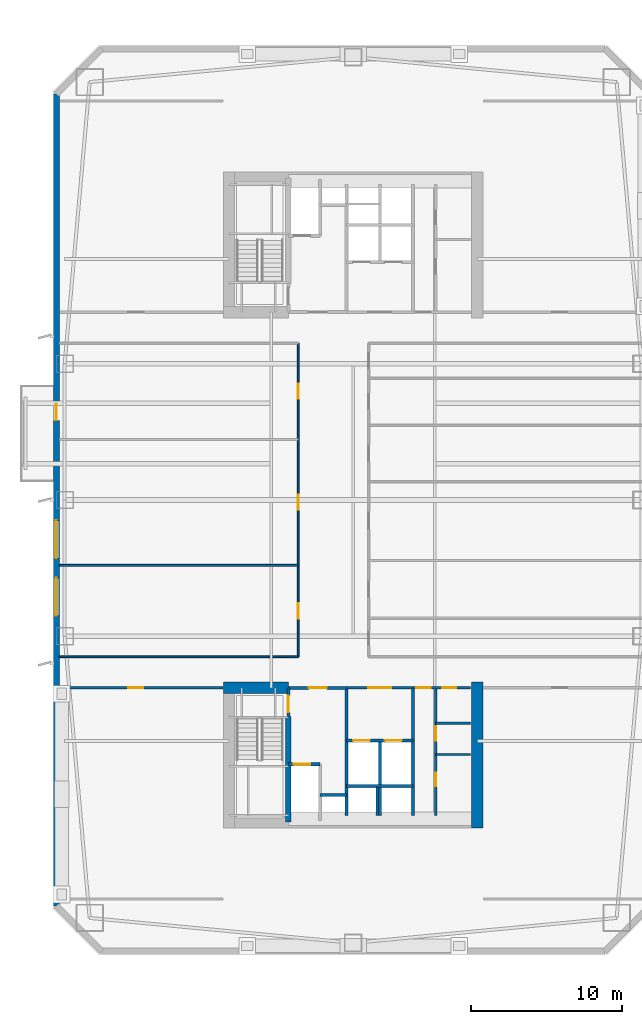
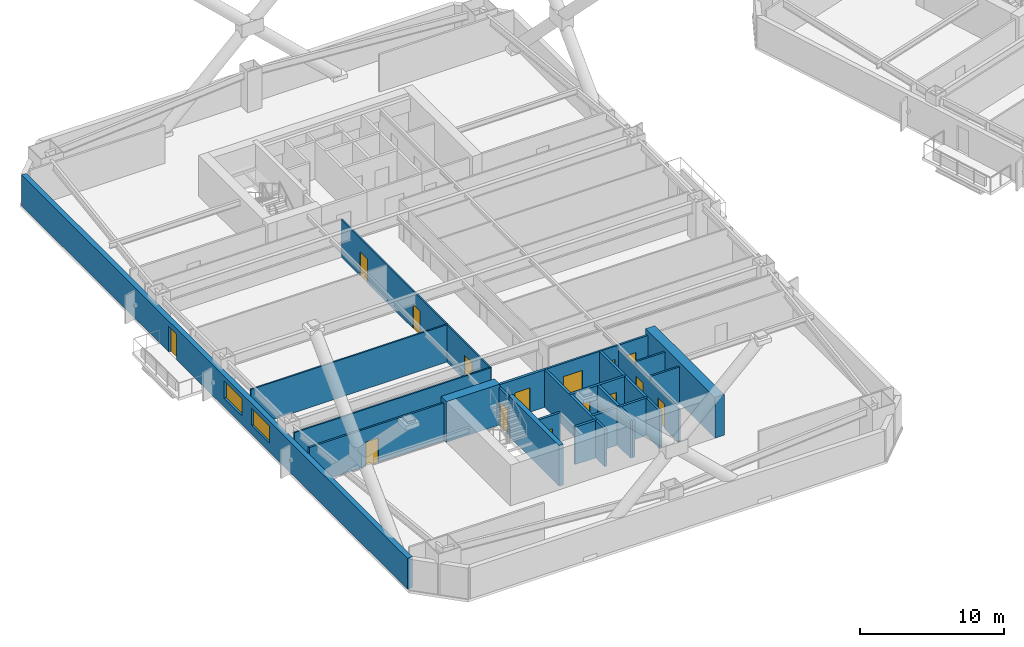
# One storey, part 4 of 18: 23 walls, 15 doors, 2 windows, 17 openings.
"""IFC4 building model written with IfcOpenShell, lengths in metres."""

from ifc_helpers import new_model, si_unit, direction, frame, frame_2d, origin, place, context, subcontext, project, spatial, rectangle, extrude, material, layer, layer_set, type_object, element, fill, save


model = new_model("IFC4")

# Units and contexts
model_context = context("Model", 3, precision=1e-05, world=origin(), true_north=direction((0.0, 1.0)))
body_context = subcontext(model_context, "Body", "Model", "MODEL_VIEW")
ifc_project = project(units=[si_unit("LENGTHUNIT", "METRE"), si_unit("AREAUNIT", "SQUARE_METRE"), si_unit("VOLUMEUNIT", "CUBIC_METRE"), si_unit("PLANEANGLEUNIT", "RADIAN"), si_unit("MASSUNIT", "GRAM", prefix="KILO")], contexts=[model_context])

# Site, building, storey
site_placement = place(None, origin())
site = spatial("IfcSite", under=ifc_project, at=site_placement, CompositionType="ELEMENT")
building_placement = place(site_placement, origin())
building = spatial("IfcBuilding", under=site, at=building_placement, Name="Qiaolan Cultural Towers", CompositionType="ELEMENT")
storey_placement = place(building_placement, frame((0.0, 0.0, 57.5)))
storey = spatial("IfcBuildingStorey", under=building, at=storey_placement, Name="L13", CompositionType="ELEMENT", Elevation=57.5)

# Walls
ifc_material_1 = material(Name="Concrete C50", Category="concrete")
ifc_layer_1 = layer(ifc_material_1, 0.35009765625)
ifc_layer_set_1 = layer_set([ifc_layer_1], Name="Concrete C50")
wall_type_1 = type_object("IfcWallType", Name="WL-CORE-350", PredefinedType="SHEAR", material=ifc_layer_set_1)
wall_1_placement = place(storey_placement, frame((25.719970703125, 19.699951171875, 0.0), z_axis=(0.0, 0.0, 1.0), x_axis=(0.0, -1.0, 0.0)))
element("IfcWall", 1, at=wall_1_placement, inside=storey, type_object=wall_type_1, Name="L13 T1-CS Stair Core Dividing Web", PredefinedType="SHEAR", context=body_context, shape_type="SweptSolid", body=[
    extrude(rectangle(XDim=6.97998046875, YDim=0.35009765625, at=frame_2d((3.489990234375, 0.0))), origin(), (0.0, 0.0, 1.0), 3.449951171875),
])
ifc_material_2 = material(Name="Concrete C60", Category="concrete")
ifc_layer_2 = layer(ifc_material_2, 0.75)
ifc_layer_set_2 = layer_set([ifc_layer_2], Name="Concrete C60")
wall_type_2 = type_object("IfcWallType", Name="WL-CORE-750", PredefinedType="SHEAR", material=ifc_layer_set_2)
wall_2_placement = place(storey_placement, frame((38.199951171875, 21.97509765625, 0.0), z_axis=(0.0, 0.0, 1.0), x_axis=(0.0, -1.0, 0.0)))
element("IfcWall", 2, at=wall_2_placement, inside=storey, type_object=wall_type_2, Name="L13 T1-CS East Core Shear Wall", PredefinedType="SHEAR", context=body_context, shape_type="SweptSolid", body=[
    extrude(rectangle(XDim=9.630126953125, YDim=0.75, at=frame_2d((4.81494140625, 0.0))), origin(), (0.0, 0.0, 1.0), 3.449951171875),
])
wall_3_placement = place(storey_placement, frame((21.425048828125, 21.60009765625, 0.0), z_axis=(0.0, 0.0, 1.0), x_axis=(1.0, 0.0, 0.0)))
element("IfcWall", 3, at=wall_3_placement, inside=storey, type_object=wall_type_2, Name="L13 T1-CS Stair Front Shear Wall", PredefinedType="SHEAR", context=body_context, shape_type="SweptSolid", body=[
    extrude(rectangle(XDim=4.294921875, YDim=0.75, at=frame_2d((2.1474609375, 0.0))), origin(), (0.0, 0.0, 1.0), 3.449951171875),
])

# Wall, openings, door, windows
ifc_material_3 = material(Name="Precast Concrete C50 Honed Stone Pier", Category="masonry")
ifc_layer_3 = layer(ifc_material_3, 0.39990234375)
ifc_layer_set_3 = layer_set([ifc_layer_3], Name="Precast Concrete C50 Honed Stone Pier")
wall_type_3 = type_object("IfcWallType", Name="WL-EXT-PIER-400", PredefinedType="SOLIDWALL", material=ifc_layer_set_3)
wall_4_placement = place(storey_placement, frame((10.39990234375, 7.199951171875, 0.0), z_axis=(0.0, 0.0, 1.0), x_axis=(0.0, 1.0, 0.0)))
wall_4 = element("IfcWall", 4, at=wall_4_placement, inside=storey, type_object=wall_type_3, Name="L13 West Tower Precast Pier Facade Wall F1", PredefinedType="SOLIDWALL", context=body_context, shape_type="SweptSolid", body=[
    extrude(rectangle(XDim=53.60009765625, YDim=0.39990234375, at=frame_2d((26.800048828125, 0.0))), origin(), (0.0, 0.0, 1.0), 2.610107421875),
])
opening_1_placement = place(wall_4_placement, frame((19.14990234375, 0.0, 0.75)))
opening_1 = element("IfcOpeningElement", 5, at=opening_1_placement, cuts=wall_4, Name="Opening W-01", PredefinedType="OPENING", context=body_context, shape_type="SweptSolid", body=[
    extrude(rectangle(XDim=2.5, YDim=1.4599609375, at=frame_2d((1.25, 0.72998046875))), frame((0.0, 0.2099609375, 0.0), z_axis=(0.0, -1.0, 0.0), x_axis=(1.0, 0.0, 0.0)), (0.0, 0.0, 1.0), 0.419921875),
])
opening_2_placement = place(wall_4_placement, frame((22.949951171875, 0.0, 0.75)))
opening_2 = element("IfcOpeningElement", 6, at=opening_2_placement, cuts=wall_4, Name="Opening W-01", PredefinedType="OPENING", context=body_context, shape_type="SweptSolid", body=[
    extrude(rectangle(XDim=2.5, YDim=1.4599609375, at=frame_2d((1.25, 0.72998046875))), frame((0.0, 0.2099609375, 0.0), z_axis=(0.0, -1.0, 0.0), x_axis=(1.0, 0.0, 0.0)), (0.0, 0.0, 1.0), 0.419921875),
])
opening_3_placement = place(wall_4_placement, frame((32.050048828125, 0.0, 0.0)))
opening_3 = element("IfcOpeningElement", 7, at=opening_3_placement, cuts=wall_4, Name="Opening BD-01", PredefinedType="OPENING", context=body_context, shape_type="SweptSolid", body=[
    extrude(rectangle(XDim=1.10009765625, YDim=2.14990234375, at=frame_2d((0.550048828125, 1.074951171875))), frame((0.0, 0.2099609375, 0.0), z_axis=(0.0, -1.0, 0.0), x_axis=(1.0, 0.0, 0.0)), (0.0, 0.0, 1.0), 0.419921875),
])
ifc_material_4 = material(Name="Thermally Broken Aluminium Glazed Terrace Door", Category="aluminium")
door_type_1 = type_object("IfcDoorType", Name="DR-BAL-1100", OperationType="NOTDEFINED", PredefinedType="DOOR", material=ifc_material_4)
door_1_placement = place(opening_3_placement, origin())
door_1 = element("IfcDoor", 8, at=door_1_placement, inside=storey, type_object=door_type_1, Name="L13 T1 West Tree Balcony Door", OperationType="SINGLE_SWING_LEFT", OverallHeight=2.14990234375, OverallWidth=1.10009765625, PredefinedType="DOOR", context=body_context, shape_type="SweptSolid", body=[
    extrude(rectangle(XDim=1.10009765625, YDim=2.14990234375, at=frame_2d((0.550048828125, 1.074951171875))), frame((0.0, 0.02490234375, 0.0), z_axis=(0.0, -1.0, 0.0), x_axis=(1.0, 0.0, 0.0)), (0.0, 0.0, 1.0), 0.050048828125),
])
fill(opening_3, door_1)
ifc_material_5 = material(Name="Thermally Broken Aluminium Triple Low-E Glazing", Category="aluminium")
window_type = type_object("IfcWindowType", Name="WN-CHIC-2500", PartitioningType="SINGLE_PANEL", PredefinedType="WINDOW", material=ifc_material_5)
window_1_placement = place(opening_1_placement, origin())
window_1 = element("IfcWindow", 9, at=window_1_placement, inside=storey, type_object=window_type, Name="L13 T1 W Chicago Bay Window 1", OverallHeight=1.4599609375, OverallWidth=2.5, PartitioningType="TRIPLE_PANEL_VERTICAL", PredefinedType="WINDOW", context=body_context, shape_type="SweptSolid", body=[
    extrude(rectangle(XDim=2.5, YDim=1.4599609375, at=frame_2d((1.25, 0.72998046875))), frame((0.0, 0.030029296875, 0.0), z_axis=(0.0, -1.0, 0.0), x_axis=(1.0, 0.0, 0.0)), (0.0, 0.0, 1.0), 0.06005859375),
])
fill(opening_1, window_1)
window_2_placement = place(opening_2_placement, origin())
window_2 = element("IfcWindow", 10, at=window_2_placement, inside=storey, type_object=window_type, Name="L13 T1 W Chicago Bay Window 2", OverallHeight=1.4599609375, OverallWidth=2.5, PartitioningType="TRIPLE_PANEL_VERTICAL", PredefinedType="WINDOW", context=body_context, shape_type="SweptSolid", body=[
    extrude(rectangle(XDim=2.5, YDim=1.4599609375, at=frame_2d((1.25, 0.72998046875))), frame((0.0, 0.030029296875, 0.0), z_axis=(0.0, -1.0, 0.0), x_axis=(1.0, 0.0, 0.0)), (0.0, 0.0, 1.0), 0.06005859375),
])
fill(opening_2, window_2)

# Wall, opening, door
ifc_material_6 = material(Name="Concrete C35 Fire Wall", Category="concrete")
ifc_layer_4 = layer(ifc_material_6, 0.199951171875)
ifc_layer_set_4 = layer_set([ifc_layer_4], Name="Concrete C35 Fire Wall")
wall_type_4 = type_object("IfcWallType", Name="WL-FIRE-200", PredefinedType="PARTITIONING", material=ifc_layer_set_4)
wall_5_placement = place(storey_placement, frame((25.719970703125, 21.60009765625, 0.0), z_axis=(0.0, 0.0, 1.0), x_axis=(0.0, -1.0, 0.0)))
wall_5 = element("IfcWall", 11, at=wall_5_placement, inside=storey, type_object=wall_type_4, Name="L13 T1-CS Smokeproof Stair Entry Wall", PredefinedType="PARTITIONING", context=body_context, shape_type="SweptSolid", body=[
    extrude(rectangle(XDim=1.900146484375, YDim=0.199951171875, at=frame_2d((0.9501953125, 0.0))), origin(), (0.0, 0.0, 1.0), 3.175048828125),
])
opening_4_placement = place(wall_5_placement, frame((0.52001953125, 0.0, 0.0)))
opening_4 = element("IfcOpeningElement", 12, at=opening_4_placement, cuts=wall_5, Name="Opening FD-04", PredefinedType="OPENING", context=body_context, shape_type="SweptSolid", body=[
    extrude(rectangle(XDim=1.10009765625, YDim=2.050048828125, at=frame_2d((0.550048828125, 1.02490234375))), frame((0.0, 0.10986328125, 0.0), z_axis=(0.0, -1.0, 0.0), x_axis=(1.0, 0.0, 0.0)), (0.0, 0.0, 1.0), 0.219970703125),
])
ifc_material_7 = material(Name="Galvanized Steel Command Fire Door", Category="steel")
door_type_2 = type_object("IfcDoorType", Name="DR-FD90-1100", OperationType="NOTDEFINED", PredefinedType="DOOR", material=ifc_material_7)
door_2_placement = place(opening_4_placement, origin())
door_2 = element("IfcDoor", 13, at=door_2_placement, inside=storey, type_object=door_type_2, Name="L13 ST-W1 Smokeproof Stair Fire Door", OperationType="SINGLE_SWING_LEFT", OverallHeight=2.050048828125, OverallWidth=1.10009765625, PredefinedType="DOOR", context=body_context, shape_type="SweptSolid", body=[
    extrude(rectangle(XDim=1.10009765625, YDim=2.050048828125, at=frame_2d((0.550048828125, 1.02490234375))), frame((0.0, 0.02490234375, 0.0), z_axis=(0.0, -1.0, 0.0), x_axis=(1.0, 0.0, 0.0)), (0.0, 0.0, 1.0), 0.050048828125),
])
fill(opening_4, door_2)

# Wall
wall_6_placement = place(storey_placement, frame((29.550048828125, 21.60009765625, 0.0), z_axis=(0.0, 0.0, 1.0), x_axis=(0.0, -1.0, 0.0)))
element("IfcWall", 14, at=wall_6_placement, inside=storey, type_object=wall_type_4, Name="L13 T1-CS Firefighting Zone Wall", PredefinedType="PARTITIONING", context=body_context, shape_type="SweptSolid", body=[
    extrude(rectangle(XDim=8.43017578125, YDim=0.199951171875, at=frame_2d((4.215087890625, 0.0))), origin(), (0.0, 0.0, 1.0), 3.175048828125),
])

# Wall, opening, door
wall_7_placement = place(storey_placement, frame((25.719970703125, 21.60009765625, 0.0), z_axis=(0.0, 0.0, 1.0), x_axis=(1.0, 0.0, 0.0)))
wall_7 = element("IfcWall", 15, at=wall_7_placement, inside=storey, type_object=wall_type_4, Name="L13 T1-CS Firefighting Lobby Front Wall", PredefinedType="PARTITIONING", context=body_context, shape_type="SweptSolid", body=[
    extrude(rectangle(XDim=3.830078125, YDim=0.199951171875, at=frame_2d((1.9150390625, 0.0))), origin(), (0.0, 0.0, 1.0), 3.175048828125),
])
opening_5_placement = place(wall_7_placement, frame((1.35009765625, 0.0, 0.0)))
opening_5 = element("IfcOpeningElement", 16, at=opening_5_placement, cuts=wall_7, Name="Opening FD-03", PredefinedType="OPENING", context=body_context, shape_type="SweptSolid", body=[
    extrude(rectangle(XDim=1.199951171875, YDim=2.050048828125, at=frame_2d((0.60009765625, 1.02490234375))), frame((0.0, 0.10986328125, 0.0), z_axis=(0.0, -1.0, 0.0), x_axis=(1.0, 0.0, 0.0)), (0.0, 0.0, 1.0), 0.219970703125),
])
ifc_material_8 = material(Name="Galvanized Steel Smokeproof Lobby Fire Door", Category="steel")
door_type_3 = type_object("IfcDoorType", Name="DR-FD90-1200", OperationType="NOTDEFINED", PredefinedType="DOOR", material=ifc_material_8)
door_3_placement = place(opening_5_placement, origin())
door_3 = element("IfcDoor", 17, at=door_3_placement, inside=storey, type_object=door_type_3, Name="L13 FFL-W1 Firefighting Lobby Fire Door", OperationType="SINGLE_SWING_LEFT", OverallHeight=2.050048828125, OverallWidth=1.199951171875, PredefinedType="DOOR", context=body_context, shape_type="SweptSolid", body=[
    extrude(rectangle(XDim=1.199951171875, YDim=2.050048828125, at=frame_2d((0.60009765625, 1.02490234375))), frame((0.0, 0.02490234375, 0.0), z_axis=(0.0, -1.0, 0.0), x_axis=(1.0, 0.0, 0.0)), (0.0, 0.0, 1.0), 0.050048828125),
])
fill(opening_5, door_3)

wall_8_placement = place(storey_placement, frame((25.719970703125, 16.550048828125, 0.0), z_axis=(0.0, 0.0, 1.0), x_axis=(1.0, 0.0, 0.0)))
wall_8 = element("IfcWall", 18, at=wall_8_placement, inside=storey, type_object=wall_type_4, Name="L13 T1-CS Firefighting Shaft Front Wall", PredefinedType="PARTITIONING", context=body_context, shape_type="SweptSolid", body=[
    extrude(rectangle(XDim=2.10009765625, YDim=0.199951171875, at=frame_2d((1.050048828125, 0.0))), origin(), (0.0, 0.0, 1.0), 3.175048828125),
])
opening_6_placement = place(wall_8_placement, frame((0.35009765625, 0.0, 0.0)))
opening_6 = element("IfcOpeningElement", 19, at=opening_6_placement, cuts=wall_8, Name="Opening LD-01", PredefinedType="OPENING", context=body_context, shape_type="SweptSolid", body=[
    extrude(rectangle(XDim=1.10009765625, YDim=2.050048828125, at=frame_2d((0.550048828125, 1.02490234375))), frame((0.0, 0.10986328125, 0.0), z_axis=(0.0, -1.0, 0.0), x_axis=(1.0, 0.0, 0.0)), (0.0, 0.0, 1.0), 0.219970703125),
])
ifc_material_9 = material(Name="Brushed Stainless Steel S30408 Centre-Parting Lift Landing Door", Category="steel")
door_type_4 = type_object("IfcDoorType", Name="DR-LIFT-1100", OperationType="NOTDEFINED", PredefinedType="DOOR", material=ifc_material_9)
door_4_placement = place(opening_6_placement, origin())
door_4 = element("IfcDoor", 20, at=door_4_placement, inside=storey, type_object=door_type_4, Name="L13 FFL-W1 Firefighting Lift Landing Door", OperationType="DOUBLE_DOOR_SLIDING", OverallHeight=2.050048828125, OverallWidth=1.10009765625, PredefinedType="DOOR", context=body_context, shape_type="SweptSolid", body=[
    extrude(rectangle(XDim=1.10009765625, YDim=2.050048828125, at=frame_2d((0.550048828125, 1.02490234375))), frame((0.0, 0.02490234375, 0.0), z_axis=(0.0, -1.0, 0.0), x_axis=(1.0, 0.0, 0.0)), (0.0, 0.0, 1.0), 0.050048828125),
])
fill(opening_6, door_4)

# Walls
wall_9_placement = place(storey_placement, frame((27.820068359375, 14.52001953125, 0.0), z_axis=(0.0, 0.0, 1.0), x_axis=(1.0, 0.0, 0.0)))
element("IfcWall", 21, at=wall_9_placement, inside=storey, type_object=wall_type_4, Name="L13 T1-CS Pressurization Shaft Front Wall", PredefinedType="PARTITIONING", context=body_context, shape_type="SweptSolid", body=[
    extrude(rectangle(XDim=1.72998046875, YDim=0.199951171875, at=frame_2d((0.864990234375, 0.0))), origin(), (0.0, 0.0, 1.0), 3.175048828125),
])
wall_10_placement = place(storey_placement, frame((33.949951171875, 21.60009765625, 0.0), z_axis=(0.0, 0.0, 1.0), x_axis=(0.0, -1.0, 0.0)))
element("IfcWall", 22, at=wall_10_placement, inside=storey, type_object=wall_type_4, Name="L13 T1-CS Lift Core East Wall", PredefinedType="PARTITIONING", context=body_context, shape_type="SweptSolid", body=[
    extrude(rectangle(XDim=8.43017578125, YDim=0.199951171875, at=frame_2d((4.215087890625, 0.0))), origin(), (0.0, 0.0, 1.0), 3.175048828125),
])

# Wall, openings, doors
wall_11_placement = place(storey_placement, frame((29.550048828125, 18.1201171875, 0.0), z_axis=(0.0, 0.0, 1.0), x_axis=(1.0, 0.0, 0.0)))
wall_11 = element("IfcWall", 23, at=wall_11_placement, inside=storey, type_object=wall_type_4, Name="L13 T1-CS Passenger Lift Shaft Front Wall", PredefinedType="PARTITIONING", context=body_context, shape_type="SweptSolid", body=[
    extrude(rectangle(XDim=4.39990234375, YDim=0.199951171875, at=frame_2d((2.199951171875, 0.0))), origin(), (0.0, 0.0, 1.0), 3.175048828125),
])
opening_7_placement = place(wall_11_placement, frame((0.449951171875, 0.0, 0.0)))
opening_7 = element("IfcOpeningElement", 24, at=opening_7_placement, cuts=wall_11, Name="Opening LD-01", PredefinedType="OPENING", context=body_context, shape_type="SweptSolid", body=[
    extrude(rectangle(XDim=1.10009765625, YDim=2.050048828125, at=frame_2d((0.550048828125, 1.02490234375))), frame((0.0, 0.10986328125, 0.0), z_axis=(0.0, -1.0, 0.0), x_axis=(1.0, 0.0, 0.0)), (0.0, 0.0, 1.0), 0.219970703125),
])
opening_8_placement = place(wall_11_placement, frame((2.550048828125, 0.0, 0.0)))
opening_8 = element("IfcOpeningElement", 25, at=opening_8_placement, cuts=wall_11, Name="Opening LD-01", PredefinedType="OPENING", context=body_context, shape_type="SweptSolid", body=[
    extrude(rectangle(XDim=1.10009765625, YDim=2.050048828125, at=frame_2d((0.550048828125, 1.02490234375))), frame((0.0, 0.10986328125, 0.0), z_axis=(0.0, -1.0, 0.0), x_axis=(1.0, 0.0, 0.0)), (0.0, 0.0, 1.0), 0.219970703125),
])
door_5_placement = place(opening_7_placement, origin())
door_5 = element("IfcDoor", 26, at=door_5_placement, inside=storey, type_object=door_type_4, Name="L13 Passenger Lift 1 Landing Door", OperationType="DOUBLE_DOOR_SLIDING", OverallHeight=2.050048828125, OverallWidth=1.10009765625, PredefinedType="DOOR", context=body_context, shape_type="SweptSolid", body=[
    extrude(rectangle(XDim=1.10009765625, YDim=2.050048828125, at=frame_2d((0.550048828125, 1.02490234375))), frame((0.0, 0.02490234375, 0.0), z_axis=(0.0, -1.0, 0.0), x_axis=(1.0, 0.0, 0.0)), (0.0, 0.0, 1.0), 0.050048828125),
])
fill(opening_7, door_5)
door_6_placement = place(opening_8_placement, origin())
door_6 = element("IfcDoor", 27, at=door_6_placement, inside=storey, type_object=door_type_4, Name="L13 Passenger Lift 2 Landing Door", OperationType="DOUBLE_DOOR_SLIDING", OverallHeight=2.050048828125, OverallWidth=1.10009765625, PredefinedType="DOOR", context=body_context, shape_type="SweptSolid", body=[
    extrude(rectangle(XDim=1.10009765625, YDim=2.050048828125, at=frame_2d((0.550048828125, 1.02490234375))), frame((0.0, 0.02490234375, 0.0), z_axis=(0.0, -1.0, 0.0), x_axis=(1.0, 0.0, 0.0)), (0.0, 0.0, 1.0), 0.050048828125),
])
fill(opening_8, door_6)

# Walls
wall_12_placement = place(storey_placement, frame((31.780029296875, 18.1201171875, 0.0), z_axis=(0.0, 0.0, 1.0), x_axis=(0.0, -1.0, 0.0)))
element("IfcWall", 28, at=wall_12_placement, inside=storey, type_object=wall_type_4, Name="L13 T1-CS Lift Shaft Divider Wall", PredefinedType="PARTITIONING", context=body_context, shape_type="SweptSolid", body=[
    extrude(rectangle(XDim=4.9501953125, YDim=0.199951171875, at=frame_2d((2.47509765625, 0.0))), origin(), (0.0, 0.0, 1.0), 3.175048828125),
])
wall_13_placement = place(storey_placement, frame((29.550048828125, 15.10009765625, 0.0), z_axis=(0.0, 0.0, 1.0), x_axis=(1.0, 0.0, 0.0)))
element("IfcWall", 29, at=wall_13_placement, inside=storey, type_object=wall_type_4, Name="L13 T1-CS Passenger Lift Shaft Back Wall", PredefinedType="PARTITIONING", context=body_context, shape_type="SweptSolid", body=[
    extrude(rectangle(XDim=4.39990234375, YDim=0.199951171875, at=frame_2d((2.199951171875, 0.0))), origin(), (0.0, 0.0, 1.0), 3.175048828125),
])
ifc_material_10 = material(Name="Gypsum Stud Acoustic Partition", Category="gypsum")
ifc_layer_5 = layer(ifc_material_10, 0.1201171875)
ifc_layer_set_5 = layer_set([ifc_layer_5], Name="Gypsum Stud Acoustic Partition")
wall_type_5 = type_object("IfcWallType", Name="WL-PART-120", PredefinedType="PARTITIONING", material=ifc_layer_set_5)
wall_14_placement = place(storey_placement, frame((10.60009765625, 23.64990234375, 0.0), z_axis=(0.0, 0.0, 1.0), x_axis=(1.0, 0.0, 0.0)))
element("IfcWall", 30, at=wall_14_placement, inside=storey, type_object=wall_type_5, Name="L13 T1 South Corridor Left Wall", PredefinedType="PARTITIONING", context=body_context, shape_type="SweptSolid", body=[
    extrude(rectangle(XDim=15.77490234375, YDim=0.1201171875, at=frame_2d((7.887451171875, 0.0))), origin(), (0.0, 0.0, 1.0), 3.175048828125),
])

# Wall, openings, doors
wall_15_placement = place(storey_placement, frame((26.375, 23.64990234375, 0.0), z_axis=(0.0, 0.0, 1.0), x_axis=(0.0, 1.0, 0.0)))
wall_15 = element("IfcWall", 31, at=wall_15_placement, inside=storey, type_object=wall_type_5, Name="L13 T1 West Spine Wall", PredefinedType="PARTITIONING", context=body_context, shape_type="SweptSolid", body=[
    extrude(rectangle(XDim=20.7001953125, YDim=0.1201171875, at=frame_2d((10.35009765625, 0.0))), origin(), (0.0, 0.0, 1.0), 3.175048828125),
])
opening_9_placement = place(wall_15_placement, frame((2.517578125, 0.0, 0.0)))
opening_9 = element("IfcOpeningElement", 32, at=opening_9_placement, cuts=wall_15, Name="Opening ID-04", PredefinedType="OPENING", context=body_context, shape_type="SweptSolid", body=[
    extrude(rectangle(XDim=1.0, YDim=2.050048828125, at=frame_2d((0.5, 1.02490234375))), frame((0.0, 0.070068359375, 0.0), z_axis=(0.0, -1.0, 0.0), x_axis=(1.0, 0.0, 0.0)), (0.0, 0.0, 1.0), 0.14013671875),
])
opening_10_placement = place(wall_15_placement, frame((9.6923828125, 0.0, 0.0)))
opening_10 = element("IfcOpeningElement", 33, at=opening_10_placement, cuts=wall_15, Name="Opening ID-04", PredefinedType="OPENING", context=body_context, shape_type="SweptSolid", body=[
    extrude(rectangle(XDim=1.0, YDim=2.050048828125, at=frame_2d((0.5, 1.02490234375))), frame((0.0, 0.070068359375, 0.0), z_axis=(0.0, -1.0, 0.0), x_axis=(1.0, 0.0, 0.0)), (0.0, 0.0, 1.0), 0.14013671875),
])
opening_11_placement = place(wall_15_placement, frame((17.02490234375, 0.0, 0.0)))
opening_11 = element("IfcOpeningElement", 34, at=opening_11_placement, cuts=wall_15, Name="Opening ID-04", PredefinedType="OPENING", context=body_context, shape_type="SweptSolid", body=[
    extrude(rectangle(XDim=1.0, YDim=2.050048828125, at=frame_2d((0.5, 1.02490234375))), frame((0.0, 0.070068359375, 0.0), z_axis=(0.0, -1.0, 0.0), x_axis=(1.0, 0.0, 0.0)), (0.0, 0.0, 1.0), 0.14013671875),
])
ifc_material_11 = material(Name="Oak Veneer Acoustic Office Door", Category="timber")
door_type_5 = type_object("IfcDoorType", Name="DR-INT-1000", OperationType="NOTDEFINED", PredefinedType="DOOR", material=ifc_material_11)
door_7_placement = place(opening_9_placement, origin())
door_7 = element("IfcDoor", 35, at=door_7_placement, inside=storey, type_object=door_type_5, Name="L13 T1 Contemporary Art Salon Door", OperationType="SINGLE_SWING_LEFT", OverallHeight=2.050048828125, OverallWidth=1.0, PredefinedType="DOOR", context=body_context, shape_type="SweptSolid", body=[
    extrude(rectangle(XDim=1.0, YDim=2.050048828125, at=frame_2d((0.5, 1.02490234375))), frame((0.0, 0.02490234375, 0.0), z_axis=(0.0, -1.0, 0.0), x_axis=(1.0, 0.0, 0.0)), (0.0, 0.0, 1.0), 0.050048828125),
])
fill(opening_9, door_7)
door_8_placement = place(opening_10_placement, origin())
door_8 = element("IfcDoor", 36, at=door_8_placement, inside=storey, type_object=door_type_5, Name="L13 T1 Contemporary Art Salon Door", OperationType="SINGLE_SWING_RIGHT", OverallHeight=2.050048828125, OverallWidth=1.0, PredefinedType="DOOR", context=body_context, shape_type="SweptSolid", body=[
    extrude(rectangle(XDim=1.0, YDim=2.050048828125, at=frame_2d((0.5, 1.02490234375))), frame((0.0, 0.02490234375, 0.0), z_axis=(0.0, -1.0, 0.0), x_axis=(1.0, 0.0, 0.0)), (0.0, 0.0, 1.0), 0.050048828125),
])
fill(opening_10, door_8)
door_9_placement = place(opening_11_placement, origin())
door_9 = element("IfcDoor", 37, at=door_9_placement, inside=storey, type_object=door_type_5, Name="L13 T1 Members Reading Club Door", OperationType="SINGLE_SWING_LEFT", OverallHeight=2.050048828125, OverallWidth=1.0, PredefinedType="DOOR", context=body_context, shape_type="SweptSolid", body=[
    extrude(rectangle(XDim=1.0, YDim=2.050048828125, at=frame_2d((0.5, 1.02490234375))), frame((0.0, 0.02490234375, 0.0), z_axis=(0.0, -1.0, 0.0), x_axis=(1.0, 0.0, 0.0)), (0.0, 0.0, 1.0), 0.050048828125),
])
fill(opening_11, door_9)

# Wall
wall_16_placement = place(storey_placement, frame((10.60009765625, 29.68505859375, 0.0), z_axis=(0.0, 0.0, 1.0), x_axis=(1.0, 0.0, 0.0)))
element("IfcWall", 38, at=wall_16_placement, inside=storey, type_object=wall_type_5, Name="L13 T1 West Partition 1", PredefinedType="PARTITIONING", context=body_context, shape_type="SweptSolid", body=[
    extrude(rectangle(XDim=15.77490234375, YDim=0.1201171875, at=frame_2d((7.887451171875, 0.0))), origin(), (0.0, 0.0, 1.0), 3.175048828125),
])

# Wall, opening, door
ifc_material_12 = material(Name="Autoclaved Aerated Concrete Block B06", Category="concrete")
ifc_layer_6 = layer(ifc_material_12, 0.14990234375)
ifc_layer_set_6 = layer_set([ifc_layer_6], Name="Autoclaved Aerated Concrete Block B06")
wall_type_6 = type_object("IfcWallType", Name="WL-PART-150", PredefinedType="PARTITIONING", material=ifc_layer_set_6)
wall_17_placement = place(storey_placement, frame((29.550048828125, 21.60009765625, 0.0), z_axis=(0.0, 0.0, 1.0), x_axis=(1.0, 0.0, 0.0)))
wall_17 = element("IfcWall", 39, at=wall_17_placement, inside=storey, type_object=wall_type_6, Name="L13 T1-CS Passenger Lift Lobby Front Wall", PredefinedType="PARTITIONING", context=body_context, shape_type="SweptSolid", body=[
    extrude(rectangle(XDim=4.39990234375, YDim=0.14990234375, at=frame_2d((2.199951171875, 0.0))), origin(), (0.0, 0.0, 1.0), 3.175048828125),
])
opening_12_placement = place(wall_17_placement, frame((1.449951171875, 0.0, 0.0)))
opening_12 = element("IfcOpeningElement", 40, at=opening_12_placement, cuts=wall_17, Name="Opening FD-05", PredefinedType="OPENING", context=body_context, shape_type="SweptSolid", body=[
    extrude(rectangle(XDim=1.5, YDim=2.050048828125, at=frame_2d((0.75, 1.02490234375))), frame((0.0, 0.0849609375, 0.0), z_axis=(0.0, -1.0, 0.0), x_axis=(1.0, 0.0, 0.0)), (0.0, 0.0, 1.0), 0.169921875),
])
ifc_material_13 = material(Name="Painted Steel Lift Lobby Fire Door", Category="steel")
door_type_6 = type_object("IfcDoorType", Name="DR-FD60-1500", OperationType="NOTDEFINED", PredefinedType="DOOR", material=ifc_material_13)
door_10_placement = place(opening_12_placement, origin())
door_10 = element("IfcDoor", 41, at=door_10_placement, inside=storey, type_object=door_type_6, Name="L13 Passenger Lift Lobby Entrance", OperationType="SINGLE_SWING_LEFT", OverallHeight=2.050048828125, OverallWidth=1.5, PredefinedType="DOOR", context=body_context, shape_type="SweptSolid", body=[
    extrude(rectangle(XDim=1.5, YDim=2.050048828125, at=frame_2d((0.75, 1.02490234375))), frame((0.0, 0.02490234375, 0.0), z_axis=(0.0, -1.0, 0.0), x_axis=(1.0, 0.0, 0.0)), (0.0, 0.0, 1.0), 0.050048828125),
])
fill(opening_12, door_10)

# Wall
wall_18_placement = place(storey_placement, frame((31.60009765625, 15.050048828125, 0.0), z_axis=(0.0, 0.0, 1.0), x_axis=(0.0, -1.0, 0.0)))
element("IfcWall", 42, at=wall_18_placement, inside=storey, type_object=wall_type_6, Name="L13 T1-CS Core Rear Split Wall", PredefinedType="PARTITIONING", context=body_context, shape_type="SweptSolid", body=[
    extrude(rectangle(XDim=1.880126953125, YDim=0.14990234375, at=frame_2d((0.93994140625, 0.0))), origin(), (0.0, 0.0, 1.0), 3.175048828125),
])

# Wall, openings, doors
wall_19_placement = place(storey_placement, frame((33.949951171875, 21.60009765625, 0.0), z_axis=(0.0, 0.0, 1.0), x_axis=(1.0, 0.0, 0.0)))
wall_19 = element("IfcWall", 43, at=wall_19_placement, inside=storey, type_object=wall_type_6, Name="L13 T1-CS Sanitary Core Front Wall", PredefinedType="PARTITIONING", context=body_context, shape_type="SweptSolid", body=[
    extrude(rectangle(XDim=3.800048828125, YDim=0.14990234375, at=frame_2d((1.89990234375, 0.0))), origin(), (0.0, 0.0, 1.0), 3.175048828125),
])
opening_13_placement = place(wall_19_placement, frame((0.219970703125, 0.0, 0.0)))
opening_13 = element("IfcOpeningElement", 44, at=opening_13_placement, cuts=wall_19, Name="Opening ID-05", PredefinedType="OPENING", context=body_context, shape_type="SweptSolid", body=[
    extrude(rectangle(XDim=0.949951171875, YDim=2.050048828125, at=frame_2d((0.47509765625, 1.02490234375))), frame((0.0, 0.0849609375, 0.0), z_axis=(0.0, -1.0, 0.0), x_axis=(1.0, 0.0, 0.0)), (0.0, 0.0, 1.0), 0.169921875),
])
opening_14_placement = place(wall_19_placement, frame((1.949951171875, 0.0, 0.0)))
opening_14 = element("IfcOpeningElement", 45, at=opening_14_placement, cuts=wall_19, Name="Opening ID-06", PredefinedType="OPENING", context=body_context, shape_type="SweptSolid", body=[
    extrude(rectangle(XDim=0.89990234375, YDim=2.050048828125, at=frame_2d((0.449951171875, 1.02490234375))), frame((0.0, 0.0849609375, 0.0), z_axis=(0.0, -1.0, 0.0), x_axis=(1.0, 0.0, 0.0)), (0.0, 0.0, 1.0), 0.169921875),
])
ifc_material_14 = material(Name="Fire-Rated Laminate Core Service Door", Category="timber")
door_type_7 = type_object("IfcDoorType", Name="DR-INT-900", OperationType="NOTDEFINED", PredefinedType="DOOR", material=ifc_material_14)
door_11_placement = place(opening_14_placement, origin())
door_11 = element("IfcDoor", 46, at=door_11_placement, inside=storey, type_object=door_type_7, Name="L13 Core Tea Pantry Door", OperationType="SINGLE_SWING_RIGHT", OverallHeight=2.050048828125, OverallWidth=0.89990234375, PredefinedType="DOOR", context=body_context, shape_type="SweptSolid", body=[
    extrude(rectangle(XDim=0.89990234375, YDim=2.050048828125, at=frame_2d((0.449951171875, 1.02490234375))), frame((0.0, 0.02490234375, 0.0), z_axis=(0.0, -1.0, 0.0), x_axis=(1.0, 0.0, 0.0)), (0.0, 0.0, 1.0), 0.050048828125),
])
fill(opening_14, door_11)
ifc_material_15 = material(Name="Fire-Rated Laminate Accessible Core Door", Category="timber")
door_type_8 = type_object("IfcDoorType", Name="DR-INT-950", OperationType="NOTDEFINED", PredefinedType="DOOR", material=ifc_material_15)
door_12_placement = place(opening_13_placement, origin())
door_12 = element("IfcDoor", 47, at=door_12_placement, inside=storey, type_object=door_type_8, Name="L13 Sanitary Passage Door", OperationType="SINGLE_SWING_LEFT", OverallHeight=2.050048828125, OverallWidth=0.949951171875, PredefinedType="DOOR", context=body_context, shape_type="SweptSolid", body=[
    extrude(rectangle(XDim=0.949951171875, YDim=2.050048828125, at=frame_2d((0.47509765625, 1.02490234375))), frame((0.0, 0.02490234375, 0.0), z_axis=(0.0, -1.0, 0.0), x_axis=(1.0, 0.0, 0.0)), (0.0, 0.0, 1.0), 0.050048828125),
])
fill(opening_13, door_12)

wall_20_placement = place(storey_placement, frame((35.449951171875, 21.60009765625, 0.0), z_axis=(0.0, 0.0, 1.0), x_axis=(0.0, -1.0, 0.0)))
wall_20 = element("IfcWall", 48, at=wall_20_placement, inside=storey, type_object=wall_type_6, Name="L13 T1-CS Sanitary Corridor Wall", PredefinedType="PARTITIONING", context=body_context, shape_type="SweptSolid", body=[
    extrude(rectangle(XDim=8.43017578125, YDim=0.14990234375, at=frame_2d((4.215087890625, 0.0))), origin(), (0.0, 0.0, 1.0), 2.81494140625),
])
opening_15_placement = place(wall_20_placement, frame((2.550048828125, 0.0, 0.0)))
opening_15 = element("IfcOpeningElement", 49, at=opening_15_placement, cuts=wall_20, Name="Opening ID-05", PredefinedType="OPENING", context=body_context, shape_type="SweptSolid", body=[
    extrude(rectangle(XDim=0.949951171875, YDim=2.050048828125, at=frame_2d((0.47509765625, 1.02490234375))), frame((0.0, 0.0849609375, 0.0), z_axis=(0.0, -1.0, 0.0), x_axis=(1.0, 0.0, 0.0)), (0.0, 0.0, 1.0), 0.169921875),
])
opening_16_placement = place(wall_20_placement, frame((5.60009765625, 0.0, 0.0)))
opening_16 = element("IfcOpeningElement", 50, at=opening_16_placement, cuts=wall_20, Name="Opening ID-06", PredefinedType="OPENING", context=body_context, shape_type="SweptSolid", body=[
    extrude(rectangle(XDim=0.89990234375, YDim=2.050048828125, at=frame_2d((0.449951171875, 1.02490234375))), frame((0.0, 0.0849609375, 0.0), z_axis=(0.0, -1.0, 0.0), x_axis=(1.0, 0.0, 0.0)), (0.0, 0.0, 1.0), 0.169921875),
])
door_13_placement = place(opening_16_placement, origin())
door_13 = element("IfcDoor", 51, at=door_13_placement, inside=storey, type_object=door_type_7, Name="L13 Staff Restroom Door", OperationType="SINGLE_SWING_RIGHT", OverallHeight=2.050048828125, OverallWidth=0.89990234375, PredefinedType="DOOR", context=body_context, shape_type="SweptSolid", body=[
    extrude(rectangle(XDim=0.89990234375, YDim=2.050048828125, at=frame_2d((0.449951171875, 1.02490234375))), frame((0.0, 0.02490234375, 0.0), z_axis=(0.0, -1.0, 0.0), x_axis=(1.0, 0.0, 0.0)), (0.0, 0.0, 1.0), 0.050048828125),
])
fill(opening_16, door_13)
door_14_placement = place(opening_15_placement, origin())
door_14 = element("IfcDoor", 52, at=door_14_placement, inside=storey, type_object=door_type_8, Name="L13 Accessible Washroom Door", OperationType="SINGLE_SWING_LEFT", OverallHeight=2.050048828125, OverallWidth=0.949951171875, PredefinedType="DOOR", context=body_context, shape_type="SweptSolid", body=[
    extrude(rectangle(XDim=0.949951171875, YDim=2.050048828125, at=frame_2d((0.47509765625, 1.02490234375))), frame((0.0, 0.02490234375, 0.0), z_axis=(0.0, -1.0, 0.0), x_axis=(1.0, 0.0, 0.0)), (0.0, 0.0, 1.0), 0.050048828125),
])
fill(opening_15, door_14)

# Walls
for number, where, z_axis, x_axis, name in (
    (53, (35.449951171875, 17.199951171875, 0.0), (0.0, 0.0, 1.0), (1.0, 0.0, 0.0), "L13 T1-CS Restroom Split Wall"),
    (54, (35.449951171875, 19.25, 0.0), (0.0, 0.0, 1.0), (1.0, 0.0, 0.0), "L13 T1-CS Core Pantry Wall"),
):
    element("IfcWall", number, at=place(storey_placement, frame(where, z_axis=z_axis, x_axis=x_axis)), inside=storey, type_object=wall_type_6, Name=name, PredefinedType="PARTITIONING", context=body_context, shape_type="SweptSolid", body=[
        extrude(rectangle(XDim=2.300048828125, YDim=0.14990234375, at=frame_2d((1.14990234375, 0.0))), origin(), (0.0, 0.0, 1.0), 3.175048828125),
    ])

# Wall, opening, door
wall_21_placement = place(storey_placement, frame((10.60009765625, 21.60009765625, 0.0), z_axis=(0.0, 0.0, 1.0), x_axis=(1.0, 0.0, 0.0)))
wall_21 = element("IfcWall", 55, at=wall_21_placement, inside=storey, type_object=wall_type_6, Name="L13 T1 Flank Front FLK-SW", PredefinedType="PARTITIONING", context=body_context, shape_type="SweptSolid", body=[
    extrude(rectangle(XDim=10.7998046875, YDim=0.14990234375, at=frame_2d((5.39990234375, 0.0))), origin(), (0.0, 0.0, 1.0), 3.175048828125),
])
opening_17_placement = place(wall_21_placement, frame((4.535888671875, 0.0, 0.0)))
opening_17 = element("IfcOpeningElement", 56, at=opening_17_placement, cuts=wall_21, Name="Opening ID-04", PredefinedType="OPENING", context=body_context, shape_type="SweptSolid", body=[
    extrude(rectangle(XDim=1.0, YDim=2.050048828125, at=frame_2d((0.5, 1.02490234375))), frame((0.0, 0.0849609375, 0.0), z_axis=(0.0, -1.0, 0.0), x_axis=(1.0, 0.0, 0.0)), (0.0, 0.0, 1.0), 0.169921875),
])
door_15_placement = place(opening_17_placement, origin())
door_15 = element("IfcDoor", 57, at=door_15_placement, inside=storey, type_object=door_type_5, Name="L13 T1 Corner Studio Door", OperationType="SINGLE_SWING_LEFT", OverallHeight=2.050048828125, OverallWidth=1.0, PredefinedType="DOOR", context=body_context, shape_type="SweptSolid", body=[
    extrude(rectangle(XDim=1.0, YDim=2.050048828125, at=frame_2d((0.5, 1.02490234375))), frame((0.0, 0.02490234375, 0.0), z_axis=(0.0, -1.0, 0.0), x_axis=(1.0, 0.0, 0.0)), (0.0, 0.0, 1.0), 0.050048828125),
])
fill(opening_17, door_15)

save(model, "model.ifc")
